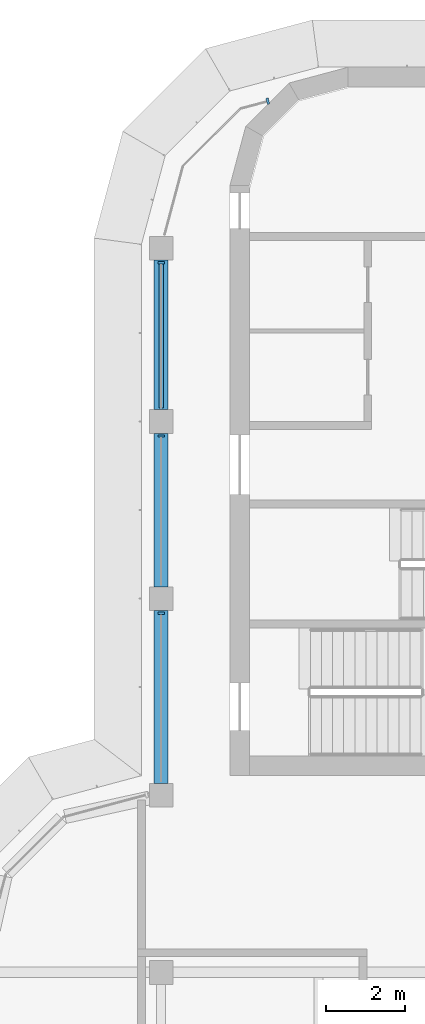
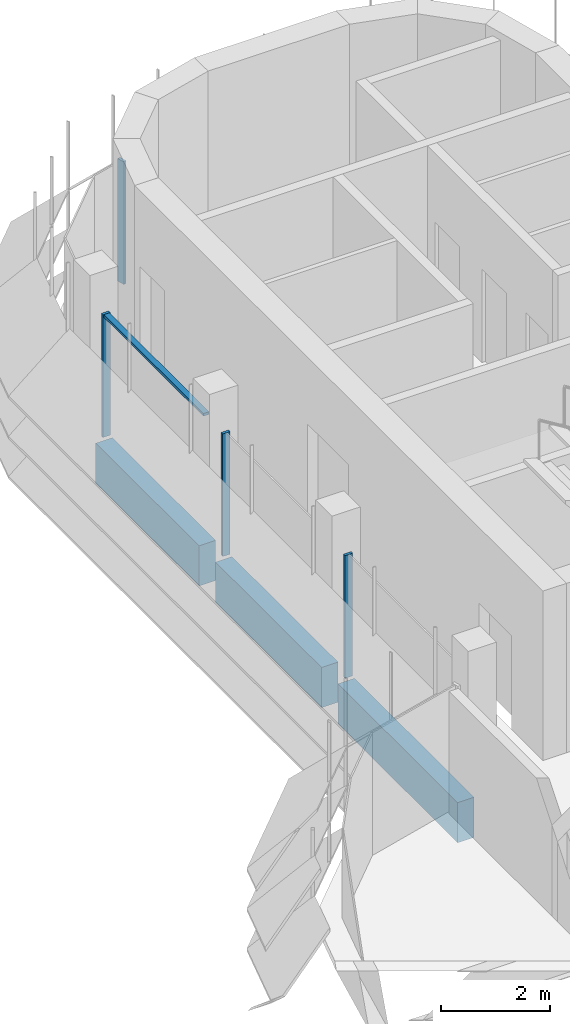
# One storey, part 7 of 20: 5 members, 3 beams, 2 elements without a shape of their own.
"""IFC4 building model written with IfcOpenShell, lengths in metres."""

from ifc_helpers import new_model, si_unit, direction, frame, origin, origin_2d, place, context, subcontext, project, spatial, polyline, rectangle, outline, extrude, source, transform, mapped, material, material_profile, profile_set, type_object, element, aggregate, save


model = new_model("IFC4")

# Units and contexts
model_context = context("Model", 3, precision=1e-05, world=origin(), true_north=direction((0.0, 1.0)))
body_context = subcontext(model_context, "Body", "Model", "MODEL_VIEW")
ifc_project = project(units=[si_unit("LENGTHUNIT", "METRE"), si_unit("AREAUNIT", "SQUARE_METRE"), si_unit("VOLUMEUNIT", "CUBIC_METRE"), si_unit("PLANEANGLEUNIT", "RADIAN"), si_unit("MASSUNIT", "GRAM", prefix="KILO")], contexts=[model_context])

# Site, building, storey
site_placement = place(None, origin())
site = spatial("IfcSite", under=ifc_project, at=site_placement, CompositionType="ELEMENT")
building_placement = place(site_placement, origin())
building = spatial("IfcBuilding", under=site, at=building_placement, Name="Zarbagh Exchange Tower", CompositionType="ELEMENT")
storey_placement = place(building_placement, frame((0.0, 0.0, 249.800048828125)))
storey = spatial("IfcBuildingStorey", under=building, at=storey_placement, Name="L61", CompositionType="ELEMENT", Elevation=249.800048828125)

# Beams
ifc_material_1 = material(Name="Concrete C40/50", Category="concrete")
ifc_material_profile = material_profile(ifc_material_1, rectangle(XDim=0.35009765625, YDim=0.89990234375, at=origin_2d()), Name="RC spandrel beam 350 x 900 C40/50")
ifc_profile_set = profile_set([ifc_material_profile], Name="Concrete C40/50")
beam_type = type_object("IfcBeamType", Name="RC spandrel beam 350 x 900 C40/50", PredefinedType="SPANDREL", material=ifc_profile_set)
beam_1_placement = place(storey_placement, frame((-6.25, 11.050048828125, -0.60009765625), z_axis=(0.0, 1.0, 0.0), x_axis=(-1.0, 0.0, 0.0)))
element("IfcBeam", 1, at=beam_1_placement, inside=storey, type_object=beam_type, Name="RC spandrel beam", PredefinedType="SPANDREL", context=body_context, shape_type="SweptSolid", body=[
    extrude(rectangle(XDim=0.35009765625, YDim=0.89990234375, at=origin_2d()), origin(), (0.0, 0.0, 1.0), 4.39990234375),
])
beam_2_placement = place(storey_placement, frame((-6.25, 16.050048828125, -0.60009765625), z_axis=(0.0, 1.0, 0.0), x_axis=(-1.0, 0.0, 0.0)))
element("IfcBeam", 2, at=beam_2_placement, inside=storey, type_object=beam_type, Name="RC spandrel beam", PredefinedType="SPANDREL", context=body_context, shape_type="SweptSolid", body=[
    extrude(rectangle(XDim=0.35009765625, YDim=0.89990234375, at=origin_2d()), origin(), (0.0, 0.0, 1.0), 3.89990234375),
])
beam_3_placement = place(storey_placement, frame((-6.25, 20.550048828125, -0.60009765625), z_axis=(0.0, 1.0, 0.0), x_axis=(-1.0, 0.0, 0.0)))
element("IfcBeam", 3, at=beam_3_placement, inside=storey, type_object=beam_type, Name="RC spandrel beam", PredefinedType="SPANDREL", context=body_context, shape_type="SweptSolid", body=[
    extrude(rectangle(XDim=0.35009765625, YDim=0.89990234375, at=origin_2d()), origin(), (0.0, 0.0, 1.0), 3.800048828125),
])

# Curtain wall, member
ifc_material_2 = material(Name="Anodised aluminium frame and glazing", Category="aluminium")
curtain_wall_type = type_object("IfcCurtainWallType", Name="CWB Ribbon glazing, upper zones", PredefinedType="NOTDEFINED", material=ifc_material_2)
curtain_wall_1_placement = place(storey_placement, origin())
curtain_wall_1 = element("IfcCurtainWall", 4, at=curtain_wall_1_placement, inside=storey, type_object=curtain_wall_type, Name="CWB70 curtain wall", PredefinedType="NOTDEFINED")
ifc_material_3 = material(Name="Anodised aluminium frame", Category="aluminium")
member_type_1 = type_object("IfcMemberType", Name="MUB Mullion, anodised aluminium frame", PredefinedType="MULLION", material=ifc_material_3)
shared_shape_1 = source(origin(), body_context, "Body", "SweptSolid", [
    extrude(outline(polyline([(0.0, -0.080078125), (0.06005859375, -0.080078125), (0.06005859375, 0.080078125), (0.0, 0.080078125), (0.0, -0.080078125)])), origin(), (0.0, 0.0, 1.0), 2.75),
])
placement = place(storey_placement, origin())
member_1 = element("IfcMember", 5, at=placement, type_object=member_type_1, Name="CWB70 mullion 1.1", PredefinedType="MULLION", context=body_context, shape_type="MappedRepresentation", body=[
    mapped(shared_shape_1, transform((-3.510009765625, 28.394775390625, 0.0), x_axis=(-0.965924289636, -0.258824779902, 0.0), y_axis=(0.258824779902, -0.965924289636, 0.0), z_axis=(0.0, 0.0, 1.0))),
])
aggregate(curtain_wall_1, [member_1])

# Curtain wall, members
curtain_wall_2_placement = place(storey_placement, origin())
curtain_wall_2 = element("IfcCurtainWall", 6, at=curtain_wall_2_placement, inside=storey, type_object=curtain_wall_type, Name="CWB73 curtain wall", PredefinedType="NOTDEFINED")
member_2 = element("IfcMember", 7, at=placement, type_object=member_type_1, Name="CWB73 mullion 1.1", PredefinedType="MULLION", context=body_context, shape_type="MappedRepresentation", body=[
    mapped(shared_shape_1, transform((-6.25, 24.31005859375, 0.0), x_axis=(0.0, -1.0, 0.0), y_axis=(1.0, 0.0, 0.0), z_axis=(0.0, 0.0, 1.0))),
])
member_3 = element("IfcMember", 8, at=placement, type_object=member_type_1, Name="CWB73 mullion 2.1", PredefinedType="MULLION", context=body_context, shape_type="MappedRepresentation", body=[
    mapped(shared_shape_1, transform((-6.25, 19.909912109375, 0.0), x_axis=(0.0, -1.0, 0.0), y_axis=(1.0, 0.0, 0.0), z_axis=(0.0, 0.0, 1.0))),
])
member_4 = element("IfcMember", 9, at=placement, type_object=member_type_1, Name="CWB73 mullion 3.1", PredefinedType="MULLION", context=body_context, shape_type="MappedRepresentation", body=[
    mapped(shared_shape_1, transform((-6.25, 15.409912109375, 0.0), x_axis=(0.0, -1.0, 0.0), y_axis=(1.0, 0.0, 0.0), z_axis=(0.0, 0.0, 1.0))),
])
member_type_2 = type_object("IfcMemberType", Name="TRB Transom, anodised aluminium frame", PredefinedType="USERDEFINED", material=ifc_material_3)
shared_shape_2 = source(origin(), body_context, "Body", "SweptSolid", [
    extrude(outline(polyline([(-0.06005859375, -0.06005859375), (0.0, -0.06005859375), (0.0, 0.06005859375), (-0.06005859375, 0.06005859375), (-0.06005859375, -0.06005859375)])), origin(), (0.0, 0.0, 1.0), 3.659912109375),
])
member_5 = element("IfcMember", 10, at=placement, type_object=member_type_2, Name="CWB73 transom 1.1", ObjectType="TRANSOM", PredefinedType="USERDEFINED", context=body_context, shape_type="MappedRepresentation", body=[
    mapped(shared_shape_2, transform((-6.25, 24.25, 2.75), x_axis=(0.0, 0.0, 1.0), y_axis=(-1.0, 0.0, 0.0), z_axis=(0.0, -1.0, 0.0))),
])
aggregate(curtain_wall_2, [member_2, member_5, member_3, member_4])

save(model, "model.ifc")
